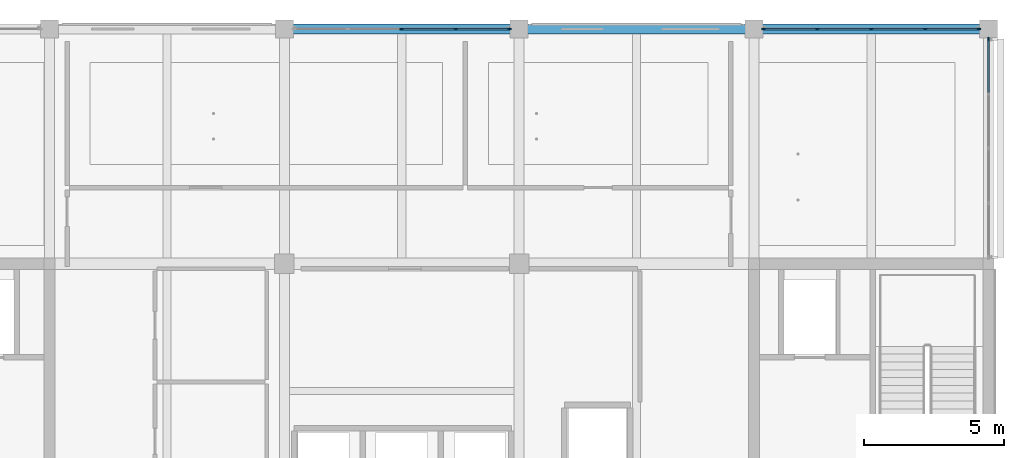
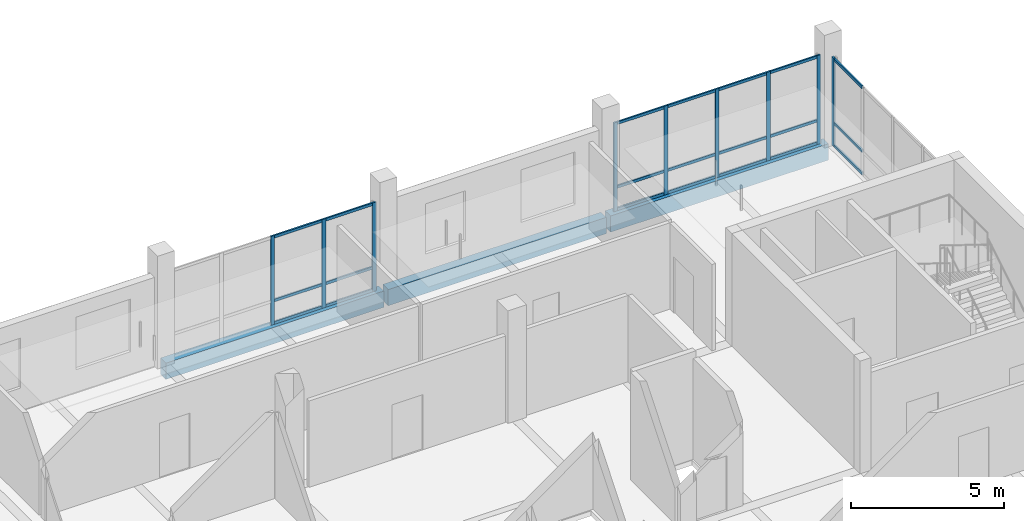
# One storey, part 7 of 28: 30 members, 3 beams, 3 elements without a shape of their own.
"""IFC4 building model written with IfcOpenShell, lengths in metres."""

from ifc_helpers import new_model, si_unit, direction, frame, origin, origin_2d, place, context, subcontext, project, spatial, rectangle, extrude, material, layer, layer_set, material_profile, profile_set, type_object, element, aggregate, save


model = new_model("IFC4")

# Units and contexts
model_context = context("Model", 3, precision=1e-05, world=origin(), true_north=direction((0.0, 1.0)))
body_context = subcontext(model_context, "Body", "Model", "MODEL_VIEW")
ifc_project = project(units=[si_unit("LENGTHUNIT", "METRE"), si_unit("AREAUNIT", "SQUARE_METRE"), si_unit("VOLUMEUNIT", "CUBIC_METRE"), si_unit("PLANEANGLEUNIT", "RADIAN"), si_unit("MASSUNIT", "GRAM", prefix="KILO")], contexts=[model_context])

# Site, building, storey
site_placement = place(None, origin())
site = spatial("IfcSite", under=ifc_project, at=site_placement, CompositionType="ELEMENT")
building_placement = place(site_placement, origin())
building = spatial("IfcBuilding", under=site, at=building_placement, Name="Telukmera Botanical Conservatory", CompositionType="ELEMENT")
storey_placement = place(building_placement, frame((0.0, 0.0, 51.0)))
storey = spatial("IfcBuildingStorey", under=building, at=storey_placement, Name="L11", CompositionType="ELEMENT", Elevation=51.0)

# Beams
ifc_material_1 = material(Name="Precast concrete C40/50", Category="concrete")
ifc_material_profile_1 = material_profile(ifc_material_1, rectangle(XDim=0.35009765625, YDim=0.64990234375, at=origin_2d()), Name="PC 350x650")
ifc_profile_set_1 = profile_set([ifc_material_profile_1], Name="Precast concrete C40/50")
beam_type = type_object("IfcBeamType", Name="Beam_SP3", PredefinedType="SPANDREL", material=ifc_profile_set_1)
for number, where, z_axis, x_axis, name in (
    (1, (75.679931640625, 42.800048828125, -0.324951171875), (1.0, 0.0, 0.0), (0.0, 1.0, 0.0), "Tower Grid Beam L11"),
    (2, (84.080078125, 42.800048828125, -0.324951171875), (1.0, 0.0, 0.0), (0.0, 1.0, 0.0), "Tower Grid Beam L11"),
    (3, (92.47998046875, 42.800048828125, -0.324951171875), (1.0, 0.0, 0.0), (0.0, 1.0, 0.0), "Tower Grid Beam L11"),
):
    element("IfcBeam", number, at=place(storey_placement, frame(where, z_axis=z_axis, x_axis=x_axis)), inside=storey, type_object=beam_type, Name=name, PredefinedType="SPANDREL", context=body_context, shape_type="SweptSolid", body=[
        extrude(rectangle(XDim=0.35009765625, YDim=0.64990234375, at=origin_2d()), origin(), (0.0, 0.0, 1.0), 8.239990234375),
    ])

# Curtain wall, members
ifc_material_2 = material(Name="Anodised aluminium 6063-T6", Category="aluminium")
ifc_layer = layer(ifc_material_2, 0.179931640625)
ifc_layer_set = layer_set([ifc_layer], Name="Anodised aluminium 6063-T6")
curtain_wall_type = type_object("IfcCurtainWallType", Name="Tower Research Laboratory Unitised Curtain Wall", PredefinedType="USERDEFINED", material=ifc_layer_set)
curtain_wall_1_placement = place(storey_placement, origin())
curtain_wall_1 = element("IfcCurtainWall", 4, at=curtain_wall_1_placement, inside=storey, type_object=curtain_wall_type, Name="Unitised Curtain Wall CW15 V4:L11:N3", ObjectType="UNITISED CURTAIN WALL", PredefinedType="USERDEFINED")
ifc_material_profile_2 = material_profile(ifc_material_2, rectangle(XDim=0.06005859375, YDim=0.139892578125, at=origin_2d()), Name="ALU MULL 60x140")
ifc_profile_set_2 = profile_set([ifc_material_profile_2], Name="Anodised aluminium 6063-T6")
member_type_1 = type_object("IfcMemberType", Name="Curtain Wall Extruded Mullion 60x140", PredefinedType="MULLION", material=ifc_profile_set_2)
member_1_placement = place(storey_placement, frame((79.800048828125, 42.800048828125, 0.0), z_axis=(0.0, 0.0, 1.0), x_axis=(0.0, 1.0, 0.0)))
member_1 = element("IfcMember", 5, at=member_1_placement, type_object=member_type_1, Name="CW15 mullion 3", PredefinedType="MULLION", context=body_context, shape_type="SweptSolid", body=[
    extrude(rectangle(XDim=0.06005859375, YDim=0.139892578125, at=origin_2d()), origin(), (0.0, 0.0, 1.0), 3.550048828125),
])
member_2_placement = place(storey_placement, frame((81.736572265625, 42.800048828125, 0.0), z_axis=(0.0, 0.0, 1.0), x_axis=(0.0, 1.0, 0.0)))
member_2 = element("IfcMember", 6, at=member_2_placement, type_object=member_type_1, Name="CW15 mullion 4", PredefinedType="MULLION", context=body_context, shape_type="SweptSolid", body=[
    extrude(rectangle(XDim=0.06005859375, YDim=0.139892578125, at=origin_2d()), origin(), (0.0, 0.0, 1.0), 3.550048828125),
])
member_3_placement = place(storey_placement, frame((83.64306640625, 42.800048828125, 0.0), z_axis=(0.0, 0.0, 1.0), x_axis=(0.0, 1.0, 0.0)))
member_3 = element("IfcMember", 7, at=member_3_placement, type_object=member_type_1, Name="CW15 mullion 5", PredefinedType="MULLION", context=body_context, shape_type="SweptSolid", body=[
    extrude(rectangle(XDim=0.06005859375, YDim=0.139892578125, at=origin_2d()), origin(), (0.0, 0.0, 1.0), 3.550048828125),
])

curtain_wall_2_placement = place(storey_placement, origin())
curtain_wall_2 = element("IfcCurtainWall", 8, at=curtain_wall_2_placement, inside=storey, type_object=curtain_wall_type, Name="Unitised Curtain Wall CW15 V4:L11:N5", ObjectType="UNITISED CURTAIN WALL", PredefinedType="USERDEFINED")
member_4_placement = place(storey_placement, frame((92.757080078125, 42.800048828125, 0.0), z_axis=(0.0, 0.0, 1.0), x_axis=(0.0, 1.0, 0.0)))
member_4 = element("IfcMember", 9, at=member_4_placement, type_object=member_type_1, Name="CW15 mullion 1", PredefinedType="MULLION", context=body_context, shape_type="SweptSolid", body=[
    extrude(rectangle(XDim=0.06005859375, YDim=0.139892578125, at=origin_2d()), origin(), (0.0, 0.0, 1.0), 3.550048828125),
])
member_5_placement = place(storey_placement, frame((94.66357421875, 42.800048828125, 0.0), z_axis=(0.0, 0.0, 1.0), x_axis=(0.0, 1.0, 0.0)))
member_5 = element("IfcMember", 10, at=member_5_placement, type_object=member_type_1, Name="CW15 mullion 2", PredefinedType="MULLION", context=body_context, shape_type="SweptSolid", body=[
    extrude(rectangle(XDim=0.06005859375, YDim=0.139892578125, at=origin_2d()), origin(), (0.0, 0.0, 1.0), 3.550048828125),
])
member_6_placement = place(storey_placement, frame((96.60009765625, 42.800048828125, 0.0), z_axis=(0.0, 0.0, 1.0), x_axis=(0.0, 1.0, 0.0)))
member_6 = element("IfcMember", 11, at=member_6_placement, type_object=member_type_1, Name="CW15 mullion 3", PredefinedType="MULLION", context=body_context, shape_type="SweptSolid", body=[
    extrude(rectangle(XDim=0.06005859375, YDim=0.139892578125, at=origin_2d()), origin(), (0.0, 0.0, 1.0), 3.550048828125),
])
member_7_placement = place(storey_placement, frame((98.53662109375, 42.800048828125, 0.0), z_axis=(0.0, 0.0, 1.0), x_axis=(0.0, 1.0, 0.0)))
member_7 = element("IfcMember", 12, at=member_7_placement, type_object=member_type_1, Name="CW15 mullion 4", PredefinedType="MULLION", context=body_context, shape_type="SweptSolid", body=[
    extrude(rectangle(XDim=0.06005859375, YDim=0.139892578125, at=origin_2d()), origin(), (0.0, 0.0, 1.0), 3.550048828125),
])
member_8_placement = place(storey_placement, frame((100.443115234375, 42.800048828125, 0.0), z_axis=(0.0, 0.0, 1.0), x_axis=(0.0, 1.0, 0.0)))
member_8 = element("IfcMember", 13, at=member_8_placement, type_object=member_type_1, Name="CW15 mullion 5", PredefinedType="MULLION", context=body_context, shape_type="SweptSolid", body=[
    extrude(rectangle(XDim=0.06005859375, YDim=0.139892578125, at=origin_2d()), origin(), (0.0, 0.0, 1.0), 3.550048828125),
])

# Curtain wall, member
curtain_wall_3_placement = place(storey_placement, origin())
curtain_wall_3 = element("IfcCurtainWall", 14, at=curtain_wall_3_placement, inside=storey, type_object=curtain_wall_type, Name="Unitised Curtain Wall CW15 V4:L11:E4", ObjectType="UNITISED CURTAIN WALL", PredefinedType="USERDEFINED")
member_9_placement = place(storey_placement, frame((100.800048828125, 42.443115234375, 0.0), z_axis=(0.0, 0.0, 1.0), x_axis=(-1.0, 0.0, 0.0)))
member_9 = element("IfcMember", 15, at=member_9_placement, type_object=member_type_1, Name="CW15 mullion 5", PredefinedType="MULLION", context=body_context, shape_type="SweptSolid", body=[
    extrude(rectangle(XDim=0.06005859375, YDim=0.139892578125, at=origin_2d()), origin(), (0.0, 0.0, 1.0), 3.550048828125),
])

# Member
ifc_material_profile_3 = material_profile(ifc_material_2, rectangle(XDim=0.06005859375, YDim=0.110107421875, at=origin_2d()), Name="ALU TRAN 60x110")
ifc_profile_set_3 = profile_set([ifc_material_profile_3], Name="Anodised aluminium 6063-T6")
member_type_2 = type_object("IfcMemberType", Name="Curtain Wall Extruded Transom 60x110", PredefinedType="USERDEFINED", material=ifc_profile_set_3)
member_10_placement = place(storey_placement, frame((79.830078125, 42.800048828125, 0.054931640625), z_axis=(1.0, 0.0, 0.0), x_axis=(0.0, 1.0, 0.0)))
member_10 = element("IfcMember", 16, at=member_10_placement, type_object=member_type_2, Name="CW15 transom 3.1", ObjectType="TRANSOM", PredefinedType="USERDEFINED", context=body_context, shape_type="SweptSolid", body=[
    extrude(rectangle(XDim=0.06005859375, YDim=0.110107421875, at=origin_2d()), origin(), (0.0, 0.0, 1.0), 1.87646484375),
])

member_11_placement = place(storey_placement, frame((79.830078125, 42.800048828125, 0.949951171875), z_axis=(1.0, 0.0, 0.0), x_axis=(0.0, 1.0, 0.0)))
member_11 = element("IfcMember", 17, at=member_11_placement, type_object=member_type_2, Name="CW15 transom 3.2", ObjectType="TRANSOM", PredefinedType="USERDEFINED", context=body_context, shape_type="SweptSolid", body=[
    extrude(rectangle(XDim=0.06005859375, YDim=0.110107421875, at=origin_2d()), origin(), (0.0, 0.0, 1.0), 1.87646484375),
])

member_12_placement = place(storey_placement, frame((79.830078125, 42.800048828125, 3.4951171875), z_axis=(1.0, 0.0, 0.0), x_axis=(0.0, 1.0, 0.0)))
member_12 = element("IfcMember", 18, at=member_12_placement, type_object=member_type_2, Name="CW15 transom 3.3", ObjectType="TRANSOM", PredefinedType="USERDEFINED", context=body_context, shape_type="SweptSolid", body=[
    extrude(rectangle(XDim=0.06005859375, YDim=0.110107421875, at=origin_2d()), origin(), (0.0, 0.0, 1.0), 1.87646484375),
])

member_13_placement = place(storey_placement, frame((81.7666015625, 42.800048828125, 0.054931640625), z_axis=(1.0, 0.0, 0.0), x_axis=(0.0, 1.0, 0.0)))
member_13 = element("IfcMember", 19, at=member_13_placement, type_object=member_type_2, Name="CW15 transom 4.1", ObjectType="TRANSOM", PredefinedType="USERDEFINED", context=body_context, shape_type="SweptSolid", body=[
    extrude(rectangle(XDim=0.06005859375, YDim=0.110107421875, at=origin_2d()), origin(), (0.0, 0.0, 1.0), 1.846435546875),
])

member_14_placement = place(storey_placement, frame((81.7666015625, 42.800048828125, 0.949951171875), z_axis=(1.0, 0.0, 0.0), x_axis=(0.0, 1.0, 0.0)))
member_14 = element("IfcMember", 20, at=member_14_placement, type_object=member_type_2, Name="CW15 transom 4.2", ObjectType="TRANSOM", PredefinedType="USERDEFINED", context=body_context, shape_type="SweptSolid", body=[
    extrude(rectangle(XDim=0.06005859375, YDim=0.110107421875, at=origin_2d()), origin(), (0.0, 0.0, 1.0), 1.846435546875),
])

member_15_placement = place(storey_placement, frame((81.7666015625, 42.800048828125, 3.4951171875), z_axis=(1.0, 0.0, 0.0), x_axis=(0.0, 1.0, 0.0)))
member_15 = element("IfcMember", 21, at=member_15_placement, type_object=member_type_2, Name="CW15 transom 4.3", ObjectType="TRANSOM", PredefinedType="USERDEFINED", context=body_context, shape_type="SweptSolid", body=[
    extrude(rectangle(XDim=0.06005859375, YDim=0.110107421875, at=origin_2d()), origin(), (0.0, 0.0, 1.0), 1.846435546875),
])

aggregate(curtain_wall_1, [member_1, member_2, member_3, member_10, member_11, member_12, member_13, member_14, member_15])

member_16_placement = place(storey_placement, frame((92.787109375, 42.800048828125, 0.054931640625), z_axis=(1.0, 0.0, 0.0), x_axis=(0.0, 1.0, 0.0)))
member_16 = element("IfcMember", 22, at=member_16_placement, type_object=member_type_2, Name="CW15 transom 1.1", ObjectType="TRANSOM", PredefinedType="USERDEFINED", context=body_context, shape_type="SweptSolid", body=[
    extrude(rectangle(XDim=0.06005859375, YDim=0.110107421875, at=origin_2d()), origin(), (0.0, 0.0, 1.0), 1.846435546875),
])

member_17_placement = place(storey_placement, frame((92.787109375, 42.800048828125, 0.949951171875), z_axis=(1.0, 0.0, 0.0), x_axis=(0.0, 1.0, 0.0)))
member_17 = element("IfcMember", 23, at=member_17_placement, type_object=member_type_2, Name="CW15 transom 1.2", ObjectType="TRANSOM", PredefinedType="USERDEFINED", context=body_context, shape_type="SweptSolid", body=[
    extrude(rectangle(XDim=0.06005859375, YDim=0.110107421875, at=origin_2d()), origin(), (0.0, 0.0, 1.0), 1.846435546875),
])

member_18_placement = place(storey_placement, frame((92.787109375, 42.800048828125, 3.4951171875), z_axis=(1.0, 0.0, 0.0), x_axis=(0.0, 1.0, 0.0)))
member_18 = element("IfcMember", 24, at=member_18_placement, type_object=member_type_2, Name="CW15 transom 1.3", ObjectType="TRANSOM", PredefinedType="USERDEFINED", context=body_context, shape_type="SweptSolid", body=[
    extrude(rectangle(XDim=0.06005859375, YDim=0.110107421875, at=origin_2d()), origin(), (0.0, 0.0, 1.0), 1.846435546875),
])

member_19_placement = place(storey_placement, frame((94.693603515625, 42.800048828125, 0.054931640625), z_axis=(1.0, 0.0, 0.0), x_axis=(0.0, 1.0, 0.0)))
member_19 = element("IfcMember", 25, at=member_19_placement, type_object=member_type_2, Name="CW15 transom 2.1", ObjectType="TRANSOM", PredefinedType="USERDEFINED", context=body_context, shape_type="SweptSolid", body=[
    extrude(rectangle(XDim=0.06005859375, YDim=0.110107421875, at=origin_2d()), origin(), (0.0, 0.0, 1.0), 1.87646484375),
])

member_20_placement = place(storey_placement, frame((94.693603515625, 42.800048828125, 0.949951171875), z_axis=(1.0, 0.0, 0.0), x_axis=(0.0, 1.0, 0.0)))
member_20 = element("IfcMember", 26, at=member_20_placement, type_object=member_type_2, Name="CW15 transom 2.2", ObjectType="TRANSOM", PredefinedType="USERDEFINED", context=body_context, shape_type="SweptSolid", body=[
    extrude(rectangle(XDim=0.06005859375, YDim=0.110107421875, at=origin_2d()), origin(), (0.0, 0.0, 1.0), 1.87646484375),
])

member_21_placement = place(storey_placement, frame((94.693603515625, 42.800048828125, 3.4951171875), z_axis=(1.0, 0.0, 0.0), x_axis=(0.0, 1.0, 0.0)))
member_21 = element("IfcMember", 27, at=member_21_placement, type_object=member_type_2, Name="CW15 transom 2.3", ObjectType="TRANSOM", PredefinedType="USERDEFINED", context=body_context, shape_type="SweptSolid", body=[
    extrude(rectangle(XDim=0.06005859375, YDim=0.110107421875, at=origin_2d()), origin(), (0.0, 0.0, 1.0), 1.87646484375),
])

member_22_placement = place(storey_placement, frame((96.6298828125, 42.800048828125, 0.054931640625), z_axis=(1.0, 0.0, 0.0), x_axis=(0.0, 1.0, 0.0)))
member_22 = element("IfcMember", 28, at=member_22_placement, type_object=member_type_2, Name="CW15 transom 3.1", ObjectType="TRANSOM", PredefinedType="USERDEFINED", context=body_context, shape_type="SweptSolid", body=[
    extrude(rectangle(XDim=0.06005859375, YDim=0.110107421875, at=origin_2d()), origin(), (0.0, 0.0, 1.0), 1.876708984375),
])

member_23_placement = place(storey_placement, frame((96.6298828125, 42.800048828125, 0.949951171875), z_axis=(1.0, 0.0, 0.0), x_axis=(0.0, 1.0, 0.0)))
member_23 = element("IfcMember", 29, at=member_23_placement, type_object=member_type_2, Name="CW15 transom 3.2", ObjectType="TRANSOM", PredefinedType="USERDEFINED", context=body_context, shape_type="SweptSolid", body=[
    extrude(rectangle(XDim=0.06005859375, YDim=0.110107421875, at=origin_2d()), origin(), (0.0, 0.0, 1.0), 1.876708984375),
])

member_24_placement = place(storey_placement, frame((96.6298828125, 42.800048828125, 3.4951171875), z_axis=(1.0, 0.0, 0.0), x_axis=(0.0, 1.0, 0.0)))
member_24 = element("IfcMember", 30, at=member_24_placement, type_object=member_type_2, Name="CW15 transom 3.3", ObjectType="TRANSOM", PredefinedType="USERDEFINED", context=body_context, shape_type="SweptSolid", body=[
    extrude(rectangle(XDim=0.06005859375, YDim=0.110107421875, at=origin_2d()), origin(), (0.0, 0.0, 1.0), 1.876708984375),
])

member_25_placement = place(storey_placement, frame((98.56640625, 42.800048828125, 0.054931640625), z_axis=(1.0, 0.0, 0.0), x_axis=(0.0, 1.0, 0.0)))
member_25 = element("IfcMember", 31, at=member_25_placement, type_object=member_type_2, Name="CW15 transom 4.1", ObjectType="TRANSOM", PredefinedType="USERDEFINED", context=body_context, shape_type="SweptSolid", body=[
    extrude(rectangle(XDim=0.06005859375, YDim=0.110107421875, at=origin_2d()), origin(), (0.0, 0.0, 1.0), 1.8466796875),
])

member_26_placement = place(storey_placement, frame((98.56640625, 42.800048828125, 0.949951171875), z_axis=(1.0, 0.0, 0.0), x_axis=(0.0, 1.0, 0.0)))
member_26 = element("IfcMember", 32, at=member_26_placement, type_object=member_type_2, Name="CW15 transom 4.2", ObjectType="TRANSOM", PredefinedType="USERDEFINED", context=body_context, shape_type="SweptSolid", body=[
    extrude(rectangle(XDim=0.06005859375, YDim=0.110107421875, at=origin_2d()), origin(), (0.0, 0.0, 1.0), 1.8466796875),
])

member_27_placement = place(storey_placement, frame((98.56640625, 42.800048828125, 3.4951171875), z_axis=(1.0, 0.0, 0.0), x_axis=(0.0, 1.0, 0.0)))
member_27 = element("IfcMember", 33, at=member_27_placement, type_object=member_type_2, Name="CW15 transom 4.3", ObjectType="TRANSOM", PredefinedType="USERDEFINED", context=body_context, shape_type="SweptSolid", body=[
    extrude(rectangle(XDim=0.06005859375, YDim=0.110107421875, at=origin_2d()), origin(), (0.0, 0.0, 1.0), 1.8466796875),
])

aggregate(curtain_wall_2, [member_4, member_5, member_6, member_7, member_8, member_16, member_17, member_18, member_19, member_20, member_21, member_22, member_23, member_24, member_25, member_26, member_27])

member_28_placement = place(storey_placement, frame((100.800048828125, 40.53515625, 0.054931640625), z_axis=(0.0, 1.0, 0.0), x_axis=(-1.0, 0.0, 0.0)))
member_28 = element("IfcMember", 34, at=member_28_placement, type_object=member_type_2, Name="CW15 transom 4.1", ObjectType="TRANSOM", PredefinedType="USERDEFINED", context=body_context, shape_type="SweptSolid", body=[
    extrude(rectangle(XDim=0.06005859375, YDim=0.110107421875, at=origin_2d()), origin(), (0.0, 0.0, 1.0), 1.8779296875),
])

member_29_placement = place(storey_placement, frame((100.800048828125, 40.53515625, 0.949951171875), z_axis=(0.0, 1.0, 0.0), x_axis=(-1.0, 0.0, 0.0)))
member_29 = element("IfcMember", 35, at=member_29_placement, type_object=member_type_2, Name="CW15 transom 4.2", ObjectType="TRANSOM", PredefinedType="USERDEFINED", context=body_context, shape_type="SweptSolid", body=[
    extrude(rectangle(XDim=0.06005859375, YDim=0.110107421875, at=origin_2d()), origin(), (0.0, 0.0, 1.0), 1.8779296875),
])

member_30_placement = place(storey_placement, frame((100.800048828125, 40.53515625, 3.4951171875), z_axis=(0.0, 1.0, 0.0), x_axis=(-1.0, 0.0, 0.0)))
member_30 = element("IfcMember", 36, at=member_30_placement, type_object=member_type_2, Name="CW15 transom 4.3", ObjectType="TRANSOM", PredefinedType="USERDEFINED", context=body_context, shape_type="SweptSolid", body=[
    extrude(rectangle(XDim=0.06005859375, YDim=0.110107421875, at=origin_2d()), origin(), (0.0, 0.0, 1.0), 1.8779296875),
])

aggregate(curtain_wall_3, [member_9, member_28, member_29, member_30])

save(model, "model.ifc")
